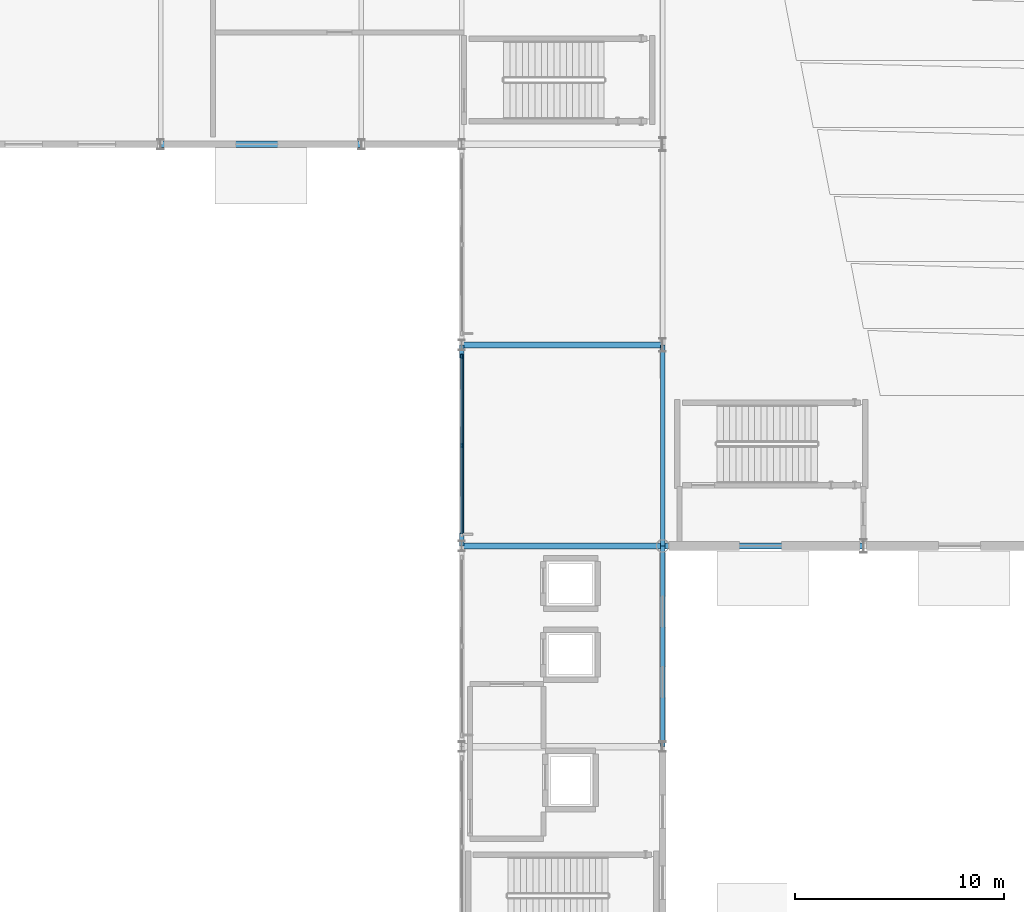
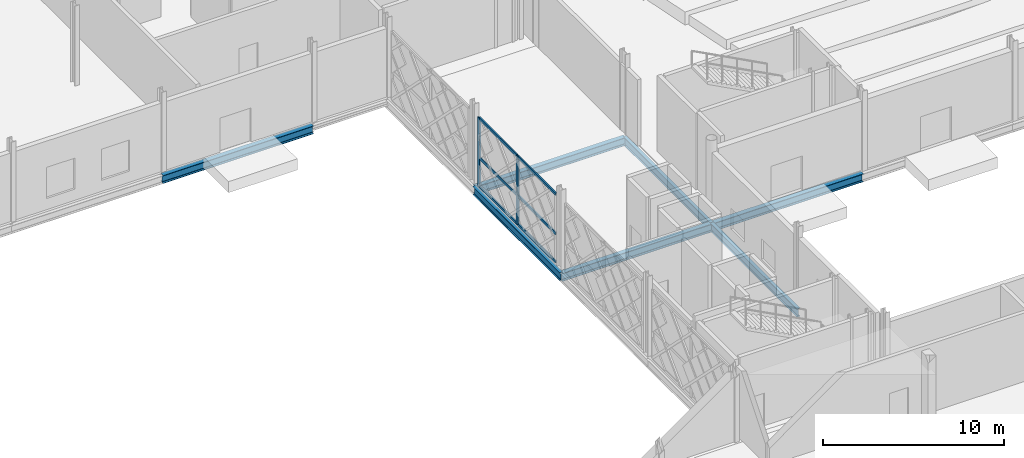
# One storey, part 40 of 84: 8 members, 7 beams, 1 element without a shape of its own.
"""IFC4 building model written with IfcOpenShell, lengths in metres."""

from ifc_helpers import new_model, si_unit, direction, frame, origin, origin_2d, place, context, subcontext, project, spatial, rectangle, i_section, extrude, material, layer, layer_set, material_profile, profile_set, type_object, element, aggregate, save


model = new_model("IFC4")

# Units and contexts
model_context = context("Model", 3, precision=1e-05, world=origin(), true_north=direction((0.0, 1.0)))
body_context = subcontext(model_context, "Body", "Model", "MODEL_VIEW")
ifc_project = project(units=[si_unit("LENGTHUNIT", "METRE"), si_unit("AREAUNIT", "SQUARE_METRE"), si_unit("VOLUMEUNIT", "CUBIC_METRE"), si_unit("PLANEANGLEUNIT", "RADIAN"), si_unit("MASSUNIT", "GRAM", prefix="KILO")], contexts=[model_context])

# Site, building, storey
site_placement = place(None, origin())
site = spatial("IfcSite", under=ifc_project, at=site_placement, CompositionType="ELEMENT")
building_placement = place(site_placement, origin())
building = spatial("IfcBuilding", under=site, at=building_placement, Name="Zevrakil Square Congress Hotel", CompositionType="ELEMENT")
storey_placement = place(building_placement, origin())
storey = spatial("IfcBuildingStorey", under=building, at=storey_placement, Name="L01", CompositionType="ELEMENT", Elevation=0.0)

# Beams
ifc_material_1 = material(Name="Steel S355", Category="steel")
ifc_material_profile_1 = material_profile(ifc_material_1, i_section(OverallWidth=0.300048828125, OverallDepth=0.5400390625, WebThickness=0.012451171875, FlangeThickness=0.02392578125, FilletRadius=0.027099609375, at=origin_2d()), Name="HEA 550")
ifc_profile_set_1 = profile_set([ifc_material_profile_1], Name="Steel S355")
beam_type_1 = type_object("IfcBeamType", Name="BM-HEA550", PredefinedType="BEAM", material=ifc_profile_set_1)
beam_1_placement = place(storey_placement, frame((108.0, 64.800048828125, -0.590087890625), z_axis=(1.0, 0.0, 0.0), x_axis=(0.0, 1.0, 0.0)))
element("IfcBeam", 1, at=beam_1_placement, inside=storey, type_object=beam_type_1, Name="L01 primary girder BX-0372", PredefinedType="BEAM", context=body_context, shape_type="SweptSolid", body=[
    extrude(i_section(OverallWidth=0.300048828125, OverallDepth=0.5400390625, WebThickness=0.012451171875, FlangeThickness=0.02392578125, FilletRadius=0.027099609375, at=origin_2d()), origin(), (0.0, 0.0, 1.0), 9.60009765625),
])
beam_2_placement = place(storey_placement, frame((117.60009765625, 64.800048828125, -0.590087890625), z_axis=(1.0, 0.0, 0.0), x_axis=(0.0, 1.0, 0.0)))
element("IfcBeam", 2, at=beam_2_placement, inside=storey, type_object=beam_type_1, Name="L01 primary girder BX-0373", PredefinedType="BEAM", context=body_context, shape_type="SweptSolid", body=[
    extrude(i_section(OverallWidth=0.300048828125, OverallDepth=0.5400390625, WebThickness=0.012451171875, FlangeThickness=0.02392578125, FilletRadius=0.027099609375, at=origin_2d()), origin(), (0.0, 0.0, 1.0), 9.599853515625),
])
beam_3_placement = place(storey_placement, frame((108.0, 74.39990234375, -0.590087890625), z_axis=(1.0, 0.0, 0.0), x_axis=(0.0, 1.0, 0.0)))
element("IfcBeam", 3, at=beam_3_placement, inside=storey, type_object=beam_type_1, Name="L01 primary girder BX-0386", PredefinedType="BEAM", context=body_context, shape_type="SweptSolid", body=[
    extrude(i_section(OverallWidth=0.300048828125, OverallDepth=0.5400390625, WebThickness=0.012451171875, FlangeThickness=0.02392578125, FilletRadius=0.027099609375, at=origin_2d()), origin(), (0.0, 0.0, 1.0), 9.60009765625),
])
beam_4_placement = place(storey_placement, frame((93.60009765625, 84.0, -0.590087890625), z_axis=(1.0, 0.0, 0.0), x_axis=(0.0, 1.0, 0.0)))
element("IfcBeam", 4, at=beam_4_placement, inside=storey, type_object=beam_type_1, Name="L01 primary girder BX-0395", PredefinedType="BEAM", context=body_context, shape_type="SweptSolid", body=[
    extrude(i_section(OverallWidth=0.300048828125, OverallDepth=0.5400390625, WebThickness=0.012451171875, FlangeThickness=0.02392578125, FilletRadius=0.027099609375, at=origin_2d()), origin(), (0.0, 0.0, 1.0), 9.599853515625),
])
ifc_material_2 = material(Name="Steel S355", Category="steel")
ifc_material_profile_2 = material_profile(ifc_material_2, i_section(OverallWidth=0.2099609375, OverallDepth=0.550048828125, WebThickness=0.010986328125, FlangeThickness=0.01708984375, FilletRadius=0.02392578125, at=origin_2d()), Name="IPE 550")
ifc_profile_set_2 = profile_set([ifc_material_profile_2], Name="Steel S355")
beam_type_2 = type_object("IfcBeamType", Name="BM-IPE550", PredefinedType="BEAM", material=ifc_profile_set_2)
beam_5_placement = place(storey_placement, frame((108.0, 64.800048828125, -0.594970703125), z_axis=(0.0, 1.0, 0.0), x_axis=(-1.0, 0.0, 0.0)))
element("IfcBeam", 5, at=beam_5_placement, inside=storey, type_object=beam_type_2, Name="L01 primary girder BY-0591", PredefinedType="BEAM", context=body_context, shape_type="SweptSolid", body=[
    extrude(i_section(OverallWidth=0.2099609375, OverallDepth=0.550048828125, WebThickness=0.010986328125, FlangeThickness=0.01708984375, FilletRadius=0.02392578125, at=origin_2d()), origin(), (0.0, 0.0, 1.0), 9.599853515625),
])
beam_6_placement = place(storey_placement, frame((117.60009765625, 55.199951171875, -0.594970703125), z_axis=(0.0, 1.0, 0.0), x_axis=(-1.0, 0.0, 0.0)))
element("IfcBeam", 6, at=beam_6_placement, inside=storey, type_object=beam_type_2, Name="L01 primary girder BY-0607", PredefinedType="BEAM", context=body_context, shape_type="SweptSolid", body=[
    extrude(i_section(OverallWidth=0.2099609375, OverallDepth=0.550048828125, WebThickness=0.010986328125, FlangeThickness=0.01708984375, FilletRadius=0.02392578125, at=origin_2d()), origin(), (0.0, 0.0, 1.0), 9.60009765625),
])
beam_7_placement = place(storey_placement, frame((117.60009765625, 64.800048828125, -0.594970703125), z_axis=(0.0, 1.0, 0.0), x_axis=(-1.0, 0.0, 0.0)))
element("IfcBeam", 7, at=beam_7_placement, inside=storey, type_object=beam_type_2, Name="L01 primary girder BY-0608", PredefinedType="BEAM", context=body_context, shape_type="SweptSolid", body=[
    extrude(i_section(OverallWidth=0.2099609375, OverallDepth=0.550048828125, WebThickness=0.010986328125, FlangeThickness=0.01708984375, FilletRadius=0.02392578125, at=origin_2d()), origin(), (0.0, 0.0, 1.0), 9.599853515625),
])

# Curtain wall, members
ifc_material_3 = material(Name="Aluminium Anodised Bronze", Category="aluminium")
ifc_layer = layer(ifc_material_3, 0.179931640625)
ifc_layer_set = layer_set([ifc_layer], Name="Aluminium Anodised Bronze")
curtain_wall_type = type_object("IfcCurtainWallType", Name="CW-L01-840", PredefinedType="USERDEFINED", material=ifc_layer_set)
curtain_wall_placement = place(storey_placement, origin())
curtain_wall = element("IfcCurtainWall", 8, at=curtain_wall_placement, inside=storey, type_object=curtain_wall_type, Name="L01 diamond curtain wall CW-L01-0134", ObjectType="GLAZED CURTAIN WALL", PredefinedType="USERDEFINED")
ifc_material_4 = material(Name="Aluminium Anodised Bronze", Category="aluminium")
ifc_material_profile_3 = material_profile(ifc_material_4, rectangle(XDim=0.0849609375, YDim=0.179931640625, at=origin_2d()), Name="ALU 85x180")
ifc_profile_set_3 = profile_set([ifc_material_profile_3], Name="Aluminium Anodised Bronze")
member_type_1 = type_object("IfcMemberType", Name="CWM-ALU85x180", PredefinedType="USERDEFINED", material=ifc_profile_set_3)
member_1_placement = place(storey_placement, frame((108.0, 65.3798828125, 0.030029296875), z_axis=(0.0, 1.0, 0.0), x_axis=(-1.0, 0.0, 0.0)))
member_1 = element("IfcMember", 9, at=member_1_placement, type_object=member_type_1, Name="CW-11 transom 1.1", ObjectType="TRANSOM", PredefinedType="USERDEFINED", context=body_context, shape_type="SweptSolid", body=[
    extrude(rectangle(XDim=0.0849609375, YDim=0.179931640625, at=origin_2d()), origin(), (0.0, 0.0, 1.0), 4.190185546875),
])
member_2_placement = place(storey_placement, frame((108.0, 65.3798828125, 1.9423828125), z_axis=(0.0, 1.0, 0.0), x_axis=(-1.0, 0.0, 0.0)))
member_2 = element("IfcMember", 10, at=member_2_placement, type_object=member_type_1, Name="CW-11 transom 1.2", ObjectType="TRANSOM", PredefinedType="USERDEFINED", context=body_context, shape_type="SweptSolid", body=[
    extrude(rectangle(XDim=0.0849609375, YDim=0.179931640625, at=origin_2d()), origin(), (0.0, 0.0, 1.0), 4.190185546875),
])
member_3_placement = place(storey_placement, frame((108.0, 65.3798828125, 4.594970703125), z_axis=(0.0, 1.0, 0.0), x_axis=(-1.0, 0.0, 0.0)))
member_3 = element("IfcMember", 11, at=member_3_placement, type_object=member_type_1, Name="CW-11 transom 1.3", ObjectType="TRANSOM", PredefinedType="USERDEFINED", context=body_context, shape_type="SweptSolid", body=[
    extrude(rectangle(XDim=0.0849609375, YDim=0.179931640625, at=origin_2d()), origin(), (0.0, 0.0, 1.0), 4.190185546875),
])
member_4_placement = place(storey_placement, frame((108.0, 69.6298828125, 0.030029296875), z_axis=(0.0, 1.0, 0.0), x_axis=(-1.0, 0.0, 0.0)))
member_4 = element("IfcMember", 12, at=member_4_placement, type_object=member_type_1, Name="CW-11 transom 2.1", ObjectType="TRANSOM", PredefinedType="USERDEFINED", context=body_context, shape_type="SweptSolid", body=[
    extrude(rectangle(XDim=0.0849609375, YDim=0.179931640625, at=origin_2d()), origin(), (0.0, 0.0, 1.0), 4.190185546875),
])
member_5_placement = place(storey_placement, frame((108.0, 69.6298828125, 1.9423828125), z_axis=(0.0, 1.0, 0.0), x_axis=(-1.0, 0.0, 0.0)))
member_5 = element("IfcMember", 13, at=member_5_placement, type_object=member_type_1, Name="CW-11 transom 2.2", ObjectType="TRANSOM", PredefinedType="USERDEFINED", context=body_context, shape_type="SweptSolid", body=[
    extrude(rectangle(XDim=0.0849609375, YDim=0.179931640625, at=origin_2d()), origin(), (0.0, 0.0, 1.0), 4.190185546875),
])
member_6_placement = place(storey_placement, frame((108.0, 69.6298828125, 4.594970703125), z_axis=(0.0, 1.0, 0.0), x_axis=(-1.0, 0.0, 0.0)))
member_6 = element("IfcMember", 14, at=member_6_placement, type_object=member_type_1, Name="CW-11 transom 2.3", ObjectType="TRANSOM", PredefinedType="USERDEFINED", context=body_context, shape_type="SweptSolid", body=[
    extrude(rectangle(XDim=0.0849609375, YDim=0.179931640625, at=origin_2d()), origin(), (0.0, 0.0, 1.0), 4.190185546875),
])
ifc_material_5 = material(Name="Aluminium Anodised Bronze", Category="aluminium")
ifc_material_profile_4 = material_profile(ifc_material_5, rectangle(XDim=0.0849609375, YDim=0.219970703125, at=origin_2d()), Name="ALU 85x220")
ifc_profile_set_4 = profile_set([ifc_material_profile_4], Name="Aluminium Anodised Bronze")
member_type_2 = type_object("IfcMemberType", Name="CWM-ALU85x220", PredefinedType="MULLION", material=ifc_profile_set_4)
member_7_placement = place(storey_placement, frame((108.0, 69.60009765625, 0.0), z_axis=(0.0, 0.0, 1.0), x_axis=(-1.0, 0.0, 0.0)))
member_7 = element("IfcMember", 15, at=member_7_placement, type_object=member_type_2, Name="CW-11 mullion 2", PredefinedType="MULLION", context=body_context, shape_type="SweptSolid", body=[
    extrude(rectangle(XDim=0.0849609375, YDim=0.219970703125, at=origin_2d()), origin(), (0.0, 0.0, 1.0), 4.625),
])
member_8_placement = place(storey_placement, frame((108.0, 73.85009765625, 0.0), z_axis=(0.0, 0.0, 1.0), x_axis=(-1.0, 0.0, 0.0)))
member_8 = element("IfcMember", 16, at=member_8_placement, type_object=member_type_2, Name="CW-11 mullion 3", PredefinedType="MULLION", context=body_context, shape_type="SweptSolid", body=[
    extrude(rectangle(XDim=0.0849609375, YDim=0.219970703125, at=origin_2d()), origin(), (0.0, 0.0, 1.0), 4.625),
])
aggregate(curtain_wall, [member_7, member_8, member_1, member_2, member_3, member_4, member_5, member_6])

save(model, "model.ifc")
